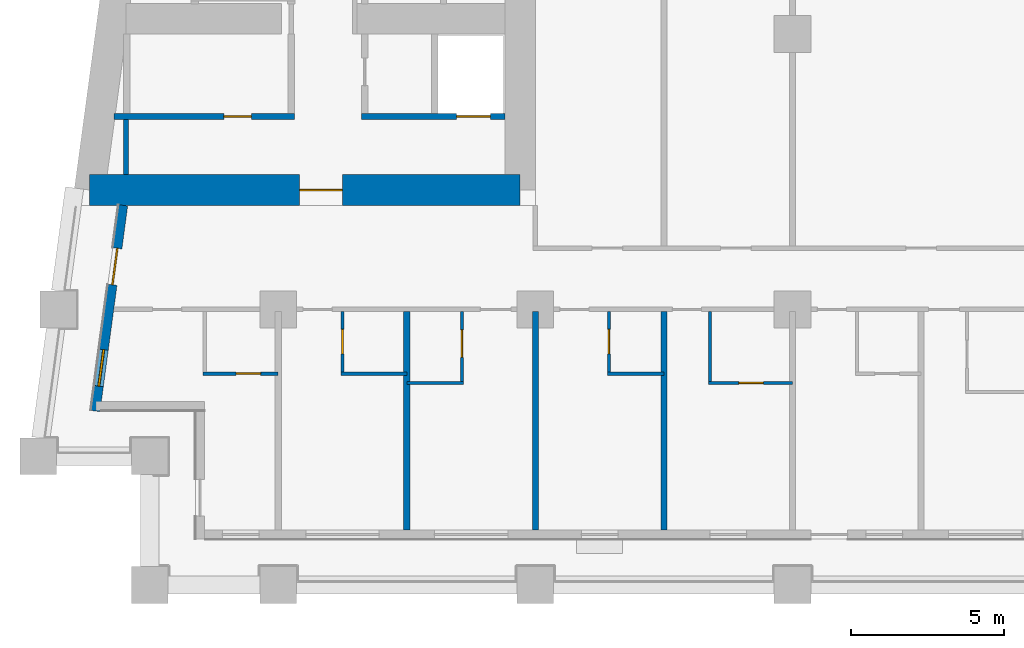
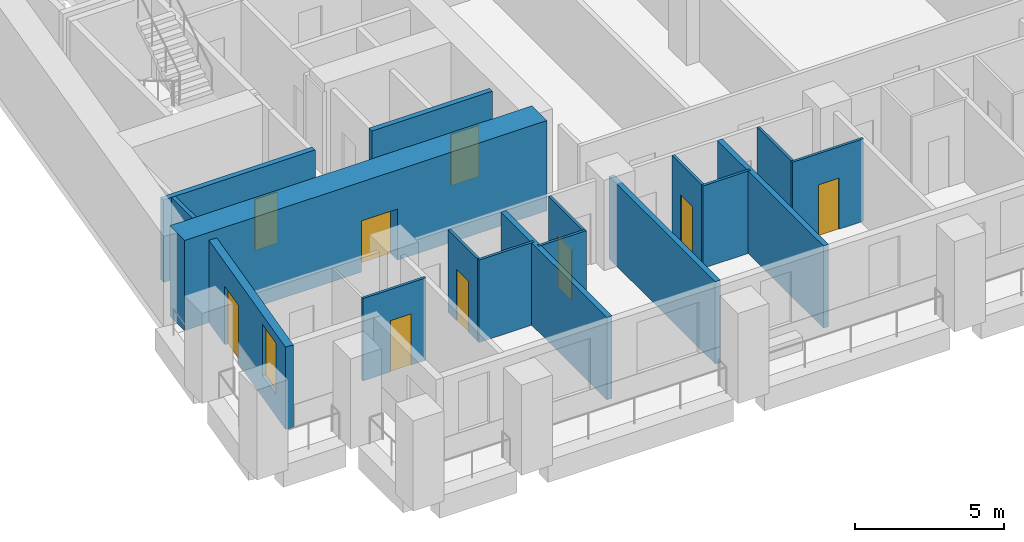
# One storey, part 2 of 14: 17 walls, 9 doors, 1 window, 10 openings.
"""IFC4 building model written with IfcOpenShell, lengths in metres."""

import ifcopenshell
import ifcopenshell.guid

model = None  # the IFC model being written
_history = None  # IfcOwnerHistory: only IFC2X3 demands one
_inside = {}  # id of a spatial element -> (the spatial element, [elements in it])
_under = {}  # id of a project, library or spatial element -> (it, [spatial elements below it])
_declared = {}  # id of a project -> (the project, [libraries it declares])
_typed = {}  # id of a type object -> (the type object, [elements of that type])
_made_of = {}  # id of a material, layer set ... -> (it, [elements and type objects made of it])


def new_model(schema):
    """Start an empty IFC model of exactly this schema.

    Asked for "IFC4X3", IfcOpenShell would pick the latest addendum, in which some entities
    have other attributes; the version numbers below select the first issue.
    IFC2X3 requires an IfcOwnerHistory on every rooted entity: one is made here for all.
    """
    global model, _history
    if schema == "IFC4X3":
        model = ifcopenshell.file(schema_version=(4, 3, 0, 0))
    else:
        model = ifcopenshell.file(schema=schema)
    _inside.clear()
    _under.clear()
    _declared.clear()
    _typed.clear()
    _made_of.clear()
    _history = None
    if model.schema == "IFC2X3":
        org = make("IfcOrganization", Name="unknown")
        user = make(
            "IfcPersonAndOrganization",
            ThePerson=make("IfcPerson", FamilyName="unknown"),
            TheOrganization=org,
        )
        app = make(
            "IfcApplication",
            ApplicationDeveloper=org,
            Version="unknown",
            ApplicationFullName="unknown",
            ApplicationIdentifier="unknown",
        )
        _history = make(
            "IfcOwnerHistory",
            OwningUser=user,
            OwningApplication=app,
            ChangeAction="ADDED",
            CreationDate=0,
        )
    return model


def make(cls, **values):
    """One entity of the class cls with the attributes given. An attribute that is None is left unset."""
    return model.create_entity(
        cls, **{name: value for name, value in values.items() if value is not None}
    )


def rooted(cls, **values):
    """An entity with a GlobalId (a new one), such as an element, a storey or a relation."""
    return make(cls, GlobalId=ifcopenshell.guid.new(), OwnerHistory=_history, **values)


def si_unit(unit_type, name, prefix=None):
    """IfcSIUnit, for example si_unit("LENGTHUNIT", "METRE", prefix="MILLI")."""
    return make("IfcSIUnit", UnitType=unit_type, Prefix=prefix, Name=name)


def assignment(units):
    """IfcUnitAssignment: the units of a project."""
    return None if units is None else make("IfcUnitAssignment", Units=units)


def point(xyz):
    """IfcCartesianPoint."""
    return None if xyz is None else make("IfcCartesianPoint", Coordinates=xyz)


def direction(xyz):
    """IfcDirection."""
    return None if xyz is None else make("IfcDirection", DirectionRatios=xyz)


def frame(location, z_axis=None, x_axis=None):
    """IfcAxis2Placement3D, a coordinate frame: its origin and axes. An axis left out is left unset."""
    return make(
        "IfcAxis2Placement3D",
        Location=point(location),
        Axis=direction(z_axis),
        RefDirection=direction(x_axis),
    )


def frame_2d(location, x_axis=None):
    """IfcAxis2Placement2D, a coordinate frame in the plane: its origin and x axis."""
    return make(
        "IfcAxis2Placement2D", Location=point(location), RefDirection=direction(x_axis)
    )


def origin():
    """The frame at (0, 0, 0) with its axes left unset."""
    return frame((0.0, 0.0, 0.0))


def place(relative_to, where):
    """IfcLocalPlacement: puts the frame where relative to a parent placement (None: the world)."""
    return make(
        "IfcLocalPlacement", PlacementRelTo=relative_to, RelativePlacement=where
    )


def context(
    kind, dimensions, precision=None, world=None, true_north=None, identifier=None
):
    """IfcGeometricRepresentationContext, for example the 3D "Model" context."""
    return make(
        "IfcGeometricRepresentationContext",
        ContextIdentifier=identifier,
        ContextType=kind,
        CoordinateSpaceDimension=dimensions,
        Precision=precision,
        WorldCoordinateSystem=world,
        TrueNorth=true_north,
    )


def subcontext(parent, identifier, kind, view, scale=None):
    """IfcGeometricRepresentationSubContext, for example "Body" below "Model"."""
    return make(
        "IfcGeometricRepresentationSubContext",
        ContextIdentifier=identifier,
        ContextType=kind,
        ParentContext=parent,
        TargetScale=scale,
        TargetView=view,
    )


def project(units=None, contexts=None):
    """IfcProject with its units and contexts."""
    return rooted(
        "IfcProject",
        Name="project",
        RepresentationContexts=contexts,
        UnitsInContext=assignment(units),
    )


def spatial(cls, under=None, at=None, **own):
    """A site, building, storey or space (cls), placed at a placement, below another one or the project."""
    s = rooted(cls, ObjectPlacement=at, **own)
    if under is not None:
        _under.setdefault(under.id(), (under, []))[1].append(s)
    return s


def profile(cls, at=None, kind="AREA", **sizes):
    """A parametric profile (cls). Its sizes go by their IFC names, for example OverallWidth=200.0."""
    return make(cls, ProfileType=kind, Position=at, **sizes)


def rectangle(**sizes):
    """IfcRectangleProfileDef."""
    return profile("IfcRectangleProfileDef", **sizes)


def extrude(swept, where, along, depth):
    """IfcExtrudedAreaSolid: the profile swept, set in the frame where, extruded along a direction by depth."""
    return make(
        "IfcExtrudedAreaSolid",
        SweptArea=swept,
        Position=where,
        ExtrudedDirection=direction(along),
        Depth=depth,
    )


def shape(context_of_items, identifier, shape_type, items):
    """IfcShapeRepresentation: the items that make up one representation, for example the "Body"."""
    return make(
        "IfcShapeRepresentation",
        ContextOfItems=context_of_items,
        RepresentationIdentifier=identifier,
        RepresentationType=shape_type,
        Items=items,
    )


def material(Name=None, Category=None):
    """IfcMaterial."""
    return make("IfcMaterial", Name=Name, Category=Category)


def layer(
    of_material, thickness, ventilated=None, Name=None, Category=None, Priority=None
):
    """IfcMaterialLayer: one layer of a wall or slab, of a material (None: an air gap)."""
    return make(
        "IfcMaterialLayer",
        Material=of_material,
        LayerThickness=thickness,
        IsVentilated=ventilated,
        Name=Name,
        Category=Category,
        Priority=Priority,
    )


def layer_set(layers, Name=None):
    """IfcMaterialLayerSet."""
    return make("IfcMaterialLayerSet", MaterialLayers=layers, LayerSetName=Name)


def made_of(thing, what):
    """Note that an element or type object is made of a material, layer set ...; save() writes the relation."""
    if what is not None:
        _made_of.setdefault(what.id(), (what, []))[1].append(thing)
    return thing


def type_object(cls, material=None, **own):
    """A type object (cls), such as IfcWallType, which elements share."""
    return made_of(rooted(cls, **own), material)


def element(
    cls,
    number,
    at=None,
    inside=None,
    cuts=None,
    type_object=None,
    material=None,
    context=None,
    identifier="Body",
    shape_type=None,
    held_by="IfcProductDefinitionShape",
    body=None,
    shapes=None,
    **own,
):
    """One element of the class cls, such as IfcWall. Its Tag is "e" and its number.

    at: its placement. inside: the storey or other place that contains it. cuts: it is an
    opening in that element (IfcRelVoidsElement). A single representation is given by context,
    identifier, shape_type and body (its items); several are given by shapes. held_by: the class
    of the entity that holds the representations. save() writes the other relations.
    """
    e = rooted(cls, Tag="e%d" % number, ObjectPlacement=at, **own)
    if body is not None:
        shapes = [shape(context, identifier, shape_type, body)]
    if shapes is not None:
        e.Representation = make(held_by, Representations=shapes)
    if inside is not None:
        _inside.setdefault(inside.id(), (inside, []))[1].append(e)
    if cuts is not None:
        rooted(
            "IfcRelVoidsElement", RelatingBuildingElement=cuts, RelatedOpeningElement=e
        )
    if type_object is not None:
        _typed.setdefault(type_object.id(), (type_object, []))[1].append(e)
    return made_of(e, material)


def fill(opening, filler):
    """IfcRelFillsElement: the door or window that sits in an opening."""
    return rooted(
        "IfcRelFillsElement",
        RelatingOpeningElement=opening,
        RelatedBuildingElement=filler,
    )


def aggregate(whole, parts):
    """IfcRelAggregates: a whole, such as a stair, and the parts it consists of."""
    return rooted("IfcRelAggregates", RelatingObject=whole, RelatedObjects=parts)


def save(model, path):
    """Write the relations noted so far, then the file.

    IfcRelAggregates (storeys below a building ...), IfcRelContainedInSpatialStructure (elements
    in a storey), IfcRelDefinesByType, IfcRelAssociatesMaterial and IfcRelDeclares: one each for
    every whole, place, type object, material and project.
    """
    for whole, parts in _under.values():
        aggregate(whole, parts)
    for where, things in _inside.values():
        rooted(
            "IfcRelContainedInSpatialStructure",
            RelatedElements=things,
            RelatingStructure=where,
        )
    for kind, things in _typed.values():
        rooted("IfcRelDefinesByType", RelatedObjects=things, RelatingType=kind)
    for what, things in _made_of.values():
        rooted("IfcRelAssociatesMaterial", RelatedObjects=things, RelatingMaterial=what)
    for by, libraries in _declared.values():
        rooted("IfcRelDeclares", RelatingContext=by, RelatedDefinitions=libraries)
    model.write(path)


model = new_model("IFC4")

# Units and contexts
model_context = context("Model", 3, precision=1e-05, world=origin(), true_north=direction((0.0, 1.0)))
body_context = subcontext(model_context, "Body", "Model", "MODEL_VIEW")
ifc_project = project(units=[si_unit("LENGTHUNIT", "METRE"), si_unit("AREAUNIT", "SQUARE_METRE"), si_unit("VOLUMEUNIT", "CUBIC_METRE"), si_unit("PLANEANGLEUNIT", "RADIAN"), si_unit("MASSUNIT", "GRAM", prefix="KILO")], contexts=[model_context])

# Site, building, storey
site_placement = place(None, origin())
site = spatial("IfcSite", under=ifc_project, at=site_placement, CompositionType="ELEMENT")
building_placement = place(site_placement, origin())
building = spatial("IfcBuilding", under=site, at=building_placement, Name="Candeia Pilgrim Tower and Theatre", CompositionType="ELEMENT")
storey_placement = place(building_placement, frame((0.0, 0.0, 120.60009765625)))
storey = spatial("IfcBuildingStorey", under=building, at=storey_placement, Name="L28", CompositionType="ELEMENT", Elevation=120.60009765625)

# Wall, opening, door
ifc_material_1 = material(Name="Concrete C70/85", Category="concrete")
ifc_layer_1 = layer(ifc_material_1, 1.0)
ifc_layer_set_1 = layer_set([ifc_layer_1], Name="Core wall 1000 C70/85")
wall_type_1 = type_object("IfcWallType", Name="Core wall 1000 C70/85", PredefinedType="SHEAR", material=ifc_layer_set_1)
wall_1_placement = place(storey_placement, frame((100.300048828125, 110.89990234375, 0.0), z_axis=(0.0, 0.0, 1.0), x_axis=(-1.0, 0.0, 0.0)))
wall_1 = element("IfcWall", 1, at=wall_1_placement, inside=storey, type_object=wall_type_1, Name="Core wall W3", PredefinedType="SHEAR", context=body_context, shape_type="SweptSolid", body=[
    extrude(rectangle(XDim=14.05908203125, YDim=1.0, at=frame_2d((7.029541015625, 0.0))), origin(), (0.0, 0.0, 1.0), 3.699951171875),
])
opening_1_placement = place(wall_1_placement, frame((5.801513671875, 0.0, 0.0)))
opening_1 = element("IfcOpeningElement", 2, at=opening_1_placement, cuts=wall_1, Name="Opening L28-D064", PredefinedType="OPENING", context=body_context, shape_type="SweptSolid", body=[
    extrude(rectangle(XDim=1.39990234375, YDim=2.10009765625, at=frame_2d((0.699951171875, 1.050048828125))), frame((0.0, 0.510009765625, 0.0), z_axis=(0.0, -1.0, 0.0), x_axis=(1.0, 0.0, 0.0)), (0.0, 0.0, 1.0), 1.02001953125),
])
ifc_material_2 = material(Name="Steel fire door set", Category="steel")
door_type_1 = type_object("IfcDoorType", Name="D-1400-FD60", OperationType="NOTDEFINED", PredefinedType="DOOR", material=ifc_material_2)
door_1_placement = place(opening_1_placement, origin())
door_1 = element("IfcDoor", 3, at=door_1_placement, inside=storey, type_object=door_type_1, Name="Door L28-D064", OperationType="SINGLE_SWING_RIGHT", OverallHeight=2.10009765625, OverallWidth=1.39990234375, PredefinedType="DOOR", context=body_context, shape_type="SweptSolid", body=[
    extrude(rectangle(XDim=1.39990234375, YDim=2.10009765625, at=frame_2d((0.699951171875, 1.050048828125))), frame((0.0, 0.02490234375, 0.0), z_axis=(0.0, -1.0, 0.0), x_axis=(1.0, 0.0, 0.0)), (0.0, 0.0, 1.0), 0.050048828125),
])
fill(opening_1, door_1)

# Wall, openings, door, window
ifc_material_3 = material(Name="Ceramic block masonry", Category="masonry")
ifc_layer_2 = layer(ifc_material_3, 0.300048828125)
ifc_layer_set_2 = layer_set([ifc_layer_2], Name="EW1 glazing-line wall 300")
wall_type_2 = type_object("IfcWallType", Name="EW1 glazing-line wall 300", PredefinedType="SOLIDWALL", material=ifc_layer_set_2)
wall_2_placement = place(storey_placement, frame((87.334228515625, 110.39990234375, 0.0), z_axis=(0.0, 0.0, 1.0), x_axis=(-0.133437175554, -0.991057273915, 0.0)))
wall_2 = element("IfcWall", 4, at=wall_2_placement, inside=storey, type_object=wall_type_2, Name="External wall L28-9.1", PredefinedType="SOLIDWALL", context=body_context, shape_type="SweptSolid", body=[
    extrude(rectangle(XDim=6.780517578125, YDim=0.300048828125, at=frame_2d((3.39013671875, 0.0))), origin(), (0.0, 0.0, 1.0), 3.3798828125),
])
opening_2_placement = place(wall_2_placement, frame((1.41796875, 0.0, 0.0)))
opening_2 = element("IfcOpeningElement", 5, at=opening_2_placement, cuts=wall_2, Name="Opening L28-ED289", PredefinedType="OPENING", context=body_context, shape_type="SweptSolid", body=[
    extrude(rectangle(XDim=1.199951171875, YDim=2.39990234375, at=frame_2d((0.60009765625, 1.199951171875))), frame((0.0, 0.16015625, 0.0), z_axis=(0.0, -1.0, 0.0), x_axis=(1.0, 0.0, 0.0)), (0.0, 0.0, 1.0), 0.320068359375),
])
opening_3_placement = place(wall_2_placement, frame((4.75830078125, 0.0, 0.89990234375)))
opening_3 = element("IfcOpeningElement", 6, at=opening_3_placement, cuts=wall_2, Name="Opening W-B", PredefinedType="OPENING", context=body_context, shape_type="SweptSolid", body=[
    extrude(rectangle(XDim=1.199951171875, YDim=2.10009765625, at=frame_2d((0.60009765625, 1.050048828125))), frame((0.0, 0.16015625, 0.0), z_axis=(0.0, -1.0, 0.0), x_axis=(1.0, 0.0, 0.0)), (0.0, 0.0, 1.0), 0.320068359375),
])
ifc_material_4 = material(Name="Aluminium framed glazed door", Category="aluminium")
door_type_2 = type_object("IfcDoorType", Name="Loggia door 1200x2400", OperationType="DOUBLE_DOOR_SINGLE_SWING", PredefinedType="DOOR", material=ifc_material_4)
door_2_placement = place(opening_2_placement, origin())
door_2 = element("IfcDoor", 7, at=door_2_placement, inside=storey, type_object=door_type_2, Name="Loggia door L28-ED289", OperationType="DOUBLE_DOOR_SINGLE_SWING", OverallHeight=2.39990234375, OverallWidth=1.199951171875, PredefinedType="DOOR", context=body_context, shape_type="SweptSolid", body=[
    extrude(rectangle(XDim=1.199951171875, YDim=2.39990234375, at=frame_2d((0.60009765625, 1.199951171875))), frame((0.0, 0.02490234375, 0.0), z_axis=(0.0, -1.0, 0.0), x_axis=(1.0, 0.0, 0.0)), (0.0, 0.0, 1.0), 0.050048828125),
])
fill(opening_2, door_2)
ifc_material_5 = material(Name="Aluminium framed double glazing", Category="aluminium")
window_type = type_object("IfcWindowType", Name="W-B window 1200x2100", PartitioningType="SINGLE_PANEL", PredefinedType="WINDOW", material=ifc_material_5)
window_placement = place(opening_3_placement, origin())
window = element("IfcWindow", 8, at=window_placement, inside=storey, type_object=window_type, Name="Window W-B L28", OverallHeight=2.10009765625, OverallWidth=1.199951171875, PartitioningType="SINGLE_PANEL", PredefinedType="WINDOW", context=body_context, shape_type="SweptSolid", body=[
    extrude(rectangle(XDim=1.199951171875, YDim=2.10009765625, at=frame_2d((0.60009765625, 1.050048828125))), frame((0.0, 0.030029296875, 0.0), z_axis=(0.0, -1.0, 0.0), x_axis=(1.0, 0.0, 0.0)), (0.0, 0.0, 1.0), 0.06005859375),
])
fill(opening_3, window)

# Wall
ifc_material_6 = material(Name="Gypsum board partition on steel studs", Category="steel")
ifc_layer_3 = layer(ifc_material_6, 0.10009765625)
ifc_layer_set_3 = layer_set([ifc_layer_3], Name="PW-100 room partition")
wall_type_3 = type_object("IfcWallType", Name="PW-100 room partition", PredefinedType="PARTITIONING", material=ifc_layer_set_3)
wall_3_placement = place(storey_placement, frame((96.60009765625, 104.60009765625, 0.0), z_axis=(0.0, 0.0, 1.0), x_axis=(1.0, 0.0, 0.0)))
element("IfcWall", 9, at=wall_3_placement, inside=storey, type_object=wall_type_3, Name="Room partition L28-004", PredefinedType="PARTITIONING", context=body_context, shape_type="SweptSolid", body=[
    extrude(rectangle(XDim=1.849853515625, YDim=0.10009765625, at=frame_2d((0.9248046875, 0.0))), origin(), (0.0, 0.0, 1.0), 3.3798828125),
])

# Wall, opening, door
wall_4_placement = place(storey_placement, frame((106.449951171875, 104.60009765625, 0.0), z_axis=(0.0, 0.0, 1.0), x_axis=(1.0, 0.0, 0.0)))
wall_4 = element("IfcWall", 10, at=wall_4_placement, inside=storey, type_object=wall_type_3, Name="Room partition L28-005", PredefinedType="PARTITIONING", context=body_context, shape_type="SweptSolid", body=[
    extrude(rectangle(XDim=2.75, YDim=0.10009765625, at=frame_2d((1.375, 0.0))), origin(), (0.0, 0.0, 1.0), 3.3798828125),
])
opening_4_placement = place(wall_4_placement, frame((1.0, 0.0, 0.0)))
opening_4 = element("IfcOpeningElement", 11, at=opening_4_placement, cuts=wall_4, Name="Opening L28-D023", PredefinedType="OPENING", context=body_context, shape_type="SweptSolid", body=[
    extrude(rectangle(XDim=0.800048828125, YDim=2.10009765625, at=frame_2d((0.39990234375, 1.050048828125))), frame((0.0, 0.06005859375, 0.0), z_axis=(0.0, -1.0, 0.0), x_axis=(1.0, 0.0, 0.0)), (0.0, 0.0, 1.0), 0.1201171875),
])
ifc_material_7 = material(Name="Timber door leaf", Category="wood")
door_type_3 = type_object("IfcDoorType", Name="D-800", OperationType="NOTDEFINED", PredefinedType="DOOR", material=ifc_material_7)
door_3_placement = place(opening_4_placement, origin())
door_3 = element("IfcDoor", 12, at=door_3_placement, inside=storey, type_object=door_type_3, Name="Door L28-D023", OperationType="SINGLE_SWING_LEFT", OverallHeight=2.10009765625, OverallWidth=0.800048828125, PredefinedType="DOOR", context=body_context, shape_type="SweptSolid", body=[
    extrude(rectangle(XDim=0.800048828125, YDim=2.10009765625, at=frame_2d((0.39990234375, 1.050048828125))), frame((0.0, 0.02490234375, 0.0), z_axis=(0.0, -1.0, 0.0), x_axis=(1.0, 0.0, 0.0)), (0.0, 0.0, 1.0), 0.050048828125),
])
fill(opening_4, door_3)

wall_5_placement = place(storey_placement, frame((89.949951171875, 104.89990234375, 0.0), z_axis=(0.0, 0.0, 1.0), x_axis=(1.0, 0.0, 0.0)))
wall_5 = element("IfcWall", 13, at=wall_5_placement, inside=storey, type_object=wall_type_3, Name="Room partition L28-006", PredefinedType="PARTITIONING", context=body_context, shape_type="SweptSolid", body=[
    extrude(rectangle(XDim=2.449951171875, YDim=0.10009765625, at=frame_2d((1.22509765625, 0.0))), origin(), (0.0, 0.0, 1.0), 3.3798828125),
])
opening_5_placement = place(wall_5_placement, frame((1.074951171875, 0.0, 0.0)))
opening_5 = element("IfcOpeningElement", 14, at=opening_5_placement, cuts=wall_5, Name="Opening L28-D015", PredefinedType="OPENING", context=body_context, shape_type="SweptSolid", body=[
    extrude(rectangle(XDim=0.800048828125, YDim=2.10009765625, at=frame_2d((0.39990234375, 1.050048828125))), frame((0.0, 0.06005859375, 0.0), z_axis=(0.0, -1.0, 0.0), x_axis=(1.0, 0.0, 0.0)), (0.0, 0.0, 1.0), 0.1201171875),
])
door_4_placement = place(opening_5_placement, origin())
door_4 = element("IfcDoor", 15, at=door_4_placement, inside=storey, type_object=door_type_3, Name="Door L28-D015", OperationType="SINGLE_SWING_LEFT", OverallHeight=2.10009765625, OverallWidth=0.800048828125, PredefinedType="DOOR", context=body_context, shape_type="SweptSolid", body=[
    extrude(rectangle(XDim=0.800048828125, YDim=2.10009765625, at=frame_2d((0.39990234375, 1.050048828125))), frame((0.0, 0.02490234375, 0.0), z_axis=(0.0, -1.0, 0.0), x_axis=(1.0, 0.0, 0.0)), (0.0, 0.0, 1.0), 0.050048828125),
])
fill(opening_5, door_4)

# Walls
wall_6_placement = place(storey_placement, frame((94.449951171875, 104.89990234375, 0.0), z_axis=(0.0, 0.0, 1.0), x_axis=(1.0, 0.0, 0.0)))
element("IfcWall", 16, at=wall_6_placement, inside=storey, type_object=wall_type_3, Name="Room partition L28-007", PredefinedType="PARTITIONING", context=body_context, shape_type="SweptSolid", body=[
    extrude(rectangle(XDim=2.150146484375, YDim=0.10009765625, at=frame_2d((1.0751953125, 0.0))), origin(), (0.0, 0.0, 1.0), 3.3798828125),
])
wall_7_placement = place(storey_placement, frame((103.14990234375, 104.89990234375, 0.0), z_axis=(0.0, 0.0, 1.0), x_axis=(1.0, 0.0, 0.0)))
element("IfcWall", 17, at=wall_7_placement, inside=storey, type_object=wall_type_3, Name="Room partition L28-008", PredefinedType="PARTITIONING", context=body_context, shape_type="SweptSolid", body=[
    extrude(rectangle(XDim=1.85009765625, YDim=0.10009765625, at=frame_2d((0.925048828125, 0.0))), origin(), (0.0, 0.0, 1.0), 3.3798828125),
])

# Wall, opening, door
wall_8_placement = place(storey_placement, frame((94.5, 104.949951171875, 0.0), z_axis=(0.0, 0.0, 1.0), x_axis=(0.0, 1.0, 0.0)))
wall_8 = element("IfcWall", 18, at=wall_8_placement, inside=storey, type_object=wall_type_3, Name="Room partition L28-065", PredefinedType="PARTITIONING", context=body_context, shape_type="SweptSolid", body=[
    extrude(rectangle(XDim=1.97509765625, YDim=0.10009765625, at=frame_2d((0.987548828125, 0.0))), origin(), (0.0, 0.0, 1.0), 3.3798828125),
])
opening_6_placement = place(wall_8_placement, frame((0.60009765625, 0.0, 0.0)))
opening_6 = element("IfcOpeningElement", 19, at=opening_6_placement, cuts=wall_8, Name="Opening L28-D017", PredefinedType="OPENING", context=body_context, shape_type="SweptSolid", body=[
    extrude(rectangle(XDim=0.800048828125, YDim=2.10009765625, at=frame_2d((0.39990234375, 1.050048828125))), frame((0.0, 0.06005859375, 0.0), z_axis=(0.0, -1.0, 0.0), x_axis=(1.0, 0.0, 0.0)), (0.0, 0.0, 1.0), 0.1201171875),
])
door_5_placement = place(opening_6_placement, origin())
door_5 = element("IfcDoor", 20, at=door_5_placement, inside=storey, type_object=door_type_3, Name="Door L28-D017", OperationType="SINGLE_SWING_LEFT", OverallHeight=2.10009765625, OverallWidth=0.800048828125, PredefinedType="DOOR", context=body_context, shape_type="SweptSolid", body=[
    extrude(rectangle(XDim=0.800048828125, YDim=2.10009765625, at=frame_2d((0.39990234375, 1.050048828125))), frame((0.0, 0.02490234375, 0.0), z_axis=(0.0, -1.0, 0.0), x_axis=(1.0, 0.0, 0.0)), (0.0, 0.0, 1.0), 0.050048828125),
])
fill(opening_6, door_5)

wall_9_placement = place(storey_placement, frame((98.39990234375, 104.64990234375, 0.0), z_axis=(0.0, 0.0, 1.0), x_axis=(0.0, 1.0, 0.0)))
wall_9 = element("IfcWall", 21, at=wall_9_placement, inside=storey, type_object=wall_type_3, Name="Room partition L28-075", PredefinedType="PARTITIONING", context=body_context, shape_type="SweptSolid", body=[
    extrude(rectangle(XDim=2.275146484375, YDim=0.10009765625, at=frame_2d((1.1376953125, 0.0))), origin(), (0.0, 0.0, 1.0), 3.3798828125),
])
opening_7_placement = place(wall_9_placement, frame((0.780029296875, 0.0, 0.0)))
opening_7 = element("IfcOpeningElement", 22, at=opening_7_placement, cuts=wall_9, Name="Opening L28-D019", PredefinedType="OPENING", context=body_context, shape_type="SweptSolid", body=[
    extrude(rectangle(XDim=0.89990234375, YDim=2.10009765625, at=frame_2d((0.449951171875, 1.050048828125))), frame((0.0, 0.06005859375, 0.0), z_axis=(0.0, -1.0, 0.0), x_axis=(1.0, 0.0, 0.0)), (0.0, 0.0, 1.0), 0.1201171875),
])
door_type_4 = type_object("IfcDoorType", Name="D-900", OperationType="NOTDEFINED", PredefinedType="DOOR", material=ifc_material_7)
door_6_placement = place(opening_7_placement, origin())
door_6 = element("IfcDoor", 23, at=door_6_placement, inside=storey, type_object=door_type_4, Name="Door L28-D019", OperationType="SINGLE_SWING_LEFT", OverallHeight=2.10009765625, OverallWidth=0.89990234375, PredefinedType="DOOR", context=body_context, shape_type="SweptSolid", body=[
    extrude(rectangle(XDim=0.89990234375, YDim=2.10009765625, at=frame_2d((0.449951171875, 1.050048828125))), frame((0.0, 0.02490234375, 0.0), z_axis=(0.0, -1.0, 0.0), x_axis=(1.0, 0.0, 0.0)), (0.0, 0.0, 1.0), 0.050048828125),
])
fill(opening_7, door_6)

wall_10_placement = place(storey_placement, frame((103.199951171875, 104.949951171875, 0.0), z_axis=(0.0, 0.0, 1.0), x_axis=(0.0, 1.0, 0.0)))
wall_10 = element("IfcWall", 24, at=wall_10_placement, inside=storey, type_object=wall_type_3, Name="Room partition L28-080", PredefinedType="PARTITIONING", context=body_context, shape_type="SweptSolid", body=[
    extrude(rectangle(XDim=1.97509765625, YDim=0.10009765625, at=frame_2d((0.987548828125, 0.0))), origin(), (0.0, 0.0, 1.0), 3.3798828125),
])
opening_8_placement = place(wall_10_placement, frame((0.60009765625, 0.0, 0.0)))
opening_8 = element("IfcOpeningElement", 25, at=opening_8_placement, cuts=wall_10, Name="Opening L28-D021", PredefinedType="OPENING", context=body_context, shape_type="SweptSolid", body=[
    extrude(rectangle(XDim=0.800048828125, YDim=2.10009765625, at=frame_2d((0.39990234375, 1.050048828125))), frame((0.0, 0.06005859375, 0.0), z_axis=(0.0, -1.0, 0.0), x_axis=(1.0, 0.0, 0.0)), (0.0, 0.0, 1.0), 0.1201171875),
])
door_7_placement = place(opening_8_placement, origin())
door_7 = element("IfcDoor", 26, at=door_7_placement, inside=storey, type_object=door_type_3, Name="Door L28-D021", OperationType="SINGLE_SWING_LEFT", OverallHeight=2.10009765625, OverallWidth=0.800048828125, PredefinedType="DOOR", context=body_context, shape_type="SweptSolid", body=[
    extrude(rectangle(XDim=0.800048828125, YDim=2.10009765625, at=frame_2d((0.39990234375, 1.050048828125))), frame((0.0, 0.02490234375, 0.0), z_axis=(0.0, -1.0, 0.0), x_axis=(1.0, 0.0, 0.0)), (0.0, 0.0, 1.0), 0.050048828125),
])
fill(opening_8, door_7)

# Walls
wall_11_placement = place(storey_placement, frame((106.5, 104.64990234375, 0.0), z_axis=(0.0, 0.0, 1.0), x_axis=(0.0, 1.0, 0.0)))
element("IfcWall", 27, at=wall_11_placement, inside=storey, type_object=wall_type_3, Name="Room partition L28-085", PredefinedType="PARTITIONING", context=body_context, shape_type="SweptSolid", body=[
    extrude(rectangle(XDim=2.275146484375, YDim=0.10009765625, at=frame_2d((1.1376953125, 0.0))), origin(), (0.0, 0.0, 1.0), 3.3798828125),
])
ifc_layer_4 = layer(ifc_material_6, 0.14990234375)
ifc_layer_set_4 = layer_set([ifc_layer_4], Name="PW-150 lobby wall")
wall_type_4 = type_object("IfcWallType", Name="PW-150 lobby wall", PredefinedType="PARTITIONING", material=ifc_layer_set_4)
wall_12_placement = place(storey_placement, frame((87.428955078125, 111.39990234375, 0.0), z_axis=(0.0, 0.0, 1.0), x_axis=(0.0, 1.0, 0.0)))
element("IfcWall", 28, at=wall_12_placement, inside=storey, type_object=wall_type_4, Name="Lobby wall L28-054", PredefinedType="PARTITIONING", context=body_context, shape_type="SweptSolid", body=[
    extrude(rectangle(XDim=1.800048828125, YDim=0.14990234375, at=frame_2d((0.89990234375, 0.0))), origin(), (0.0, 0.0, 1.0), 3.3798828125),
])
ifc_layer_5 = layer(ifc_material_6, 0.199951171875)
ifc_layer_set_5 = layer_set([ifc_layer_5], Name="PW-200 party wall")
wall_type_5 = type_object("IfcWallType", Name="PW-200 party wall", PredefinedType="PARTITIONING", material=ifc_layer_set_5)
for number, where, z_axis, x_axis, name in (
    (29, (96.60009765625, 99.7900390625, 0.0), (0.0, 0.0, 1.0), (0.0, 1.0, 0.0), "Party wall L28-070"),
    (30, (100.800048828125, 99.7900390625, 0.0), (0.0, 0.0, 1.0), (0.0, 1.0, 0.0), "Party wall L28-076"),
    (31, (105.0, 99.7900390625, 0.0), (0.0, 0.0, 1.0), (0.0, 1.0, 0.0), "Party wall L28-081"),
):
    element("IfcWall", number, at=place(storey_placement, frame(where, z_axis=z_axis, x_axis=x_axis)), inside=storey, type_object=wall_type_5, Name=name, PredefinedType="PARTITIONING", context=body_context, shape_type="SweptSolid", body=[
        extrude(rectangle(XDim=7.135009765625, YDim=0.199951171875, at=frame_2d((3.5673828125, 0.0))), origin(), (0.0, 0.0, 1.0), 3.3798828125),
    ])

# Wall, opening, door
ifc_material_8 = material(Name="Concrete C40/50", Category="concrete")
ifc_layer_6 = layer(ifc_material_8, 0.199951171875)
ifc_layer_set_6 = layer_set([ifc_layer_6], Name="SW-200 shaft wall")
wall_type_6 = type_object("IfcWallType", Name="SW-200 shaft wall", PredefinedType="PARTITIONING", material=ifc_layer_set_6)
wall_13_placement = place(storey_placement, frame((87.03857421875, 113.300048828125, 0.0), z_axis=(0.0, 0.0, 1.0), x_axis=(1.0, 0.0, 0.0)))
wall_13 = element("IfcWall", 32, at=wall_13_placement, inside=storey, type_object=wall_type_6, Name="Shaft wall L28-014", PredefinedType="PARTITIONING", context=body_context, shape_type="SweptSolid", body=[
    extrude(rectangle(XDim=5.888427734375, YDim=0.199951171875, at=frame_2d((2.9443359375, 0.0))), origin(), (0.0, 0.0, 1.0), 3.3798828125),
])
opening_9_placement = place(wall_13_placement, frame((3.58837890625, 0.0, 0.0)))
opening_9 = element("IfcOpeningElement", 33, at=opening_9_placement, cuts=wall_13, Name="Opening L28-D006", PredefinedType="OPENING", context=body_context, shape_type="SweptSolid", body=[
    extrude(rectangle(XDim=0.89990234375, YDim=2.10009765625, at=frame_2d((0.449951171875, 1.050048828125))), frame((0.0, 0.10986328125, 0.0), z_axis=(0.0, -1.0, 0.0), x_axis=(1.0, 0.0, 0.0)), (0.0, 0.0, 1.0), 0.219970703125),
])
door_type_5 = type_object("IfcDoorType", Name="D-900-FD60", OperationType="NOTDEFINED", PredefinedType="DOOR", material=ifc_material_2)
door_8_placement = place(opening_9_placement, origin())
door_8 = element("IfcDoor", 34, at=door_8_placement, inside=storey, type_object=door_type_5, Name="Door L28-D006", OperationType="SINGLE_SWING_LEFT", OverallHeight=2.10009765625, OverallWidth=0.89990234375, PredefinedType="DOOR", context=body_context, shape_type="SweptSolid", body=[
    extrude(rectangle(XDim=0.89990234375, YDim=2.10009765625, at=frame_2d((0.449951171875, 1.050048828125))), frame((0.0, 0.02490234375, 0.0), z_axis=(0.0, -1.0, 0.0), x_axis=(1.0, 0.0, 0.0)), (0.0, 0.0, 1.0), 0.050048828125),
])
fill(opening_9, door_8)

wall_14_placement = place(storey_placement, frame((95.126953125, 113.300048828125, 0.0), z_axis=(0.0, 0.0, 1.0), x_axis=(1.0, 0.0, 0.0)))
wall_14 = element("IfcWall", 35, at=wall_14_placement, inside=storey, type_object=wall_type_6, Name="Shaft wall L28-015", PredefinedType="PARTITIONING", context=body_context, shape_type="SweptSolid", body=[
    extrude(rectangle(XDim=4.673095703125, YDim=0.199951171875, at=frame_2d((2.33642578125, 0.0))), origin(), (0.0, 0.0, 1.0), 3.3798828125),
])
opening_10_placement = place(wall_14_placement, frame((3.10107421875, 0.0, 0.0)))
opening_10 = element("IfcOpeningElement", 36, at=opening_10_placement, cuts=wall_14, Name="Opening L28-LD03", PredefinedType="OPENING", context=body_context, shape_type="SweptSolid", body=[
    extrude(rectangle(XDim=1.10009765625, YDim=2.10009765625, at=frame_2d((0.550048828125, 1.050048828125))), frame((0.0, 0.10986328125, 0.0), z_axis=(0.0, -1.0, 0.0), x_axis=(1.0, 0.0, 0.0)), (0.0, 0.0, 1.0), 0.219970703125),
])
ifc_material_9 = material(Name="Glazed aluminium landing door", Category="aluminium")
door_type_6 = type_object("IfcDoorType", Name="LD-1100-EI120", OperationType="SLIDING_TO_LEFT", PredefinedType="DOOR", material=ifc_material_9)
door_9_placement = place(opening_10_placement, origin())
door_9 = element("IfcDoor", 37, at=door_9_placement, inside=storey, type_object=door_type_6, Name="Landing door 03 L28", OperationType="SLIDING_TO_LEFT", OverallHeight=2.10009765625, OverallWidth=1.10009765625, PredefinedType="DOOR", context=body_context, shape_type="SweptSolid", body=[
    extrude(rectangle(XDim=1.10009765625, YDim=2.10009765625, at=frame_2d((0.550048828125, 1.050048828125))), frame((0.0, 0.02490234375, 0.0), z_axis=(0.0, -1.0, 0.0), x_axis=(1.0, 0.0, 0.0)), (0.0, 0.0, 1.0), 0.050048828125),
])
fill(opening_10, door_9)

save(model, "model.ifc")
